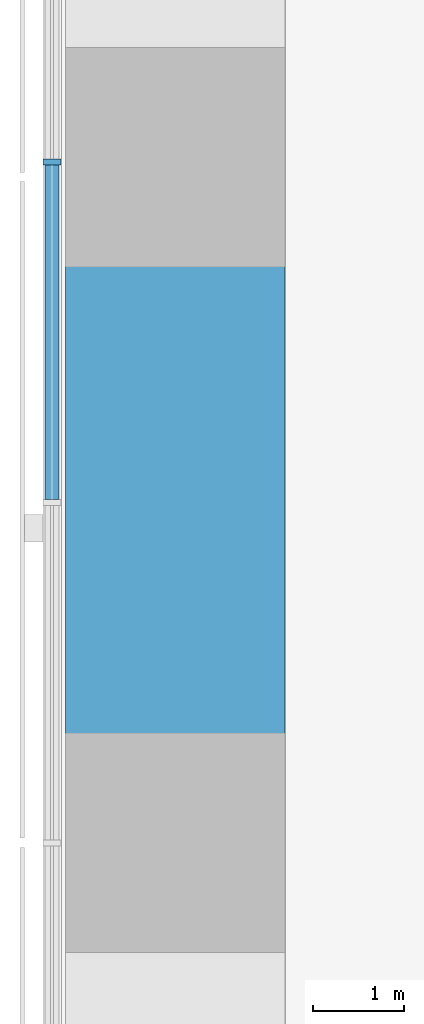
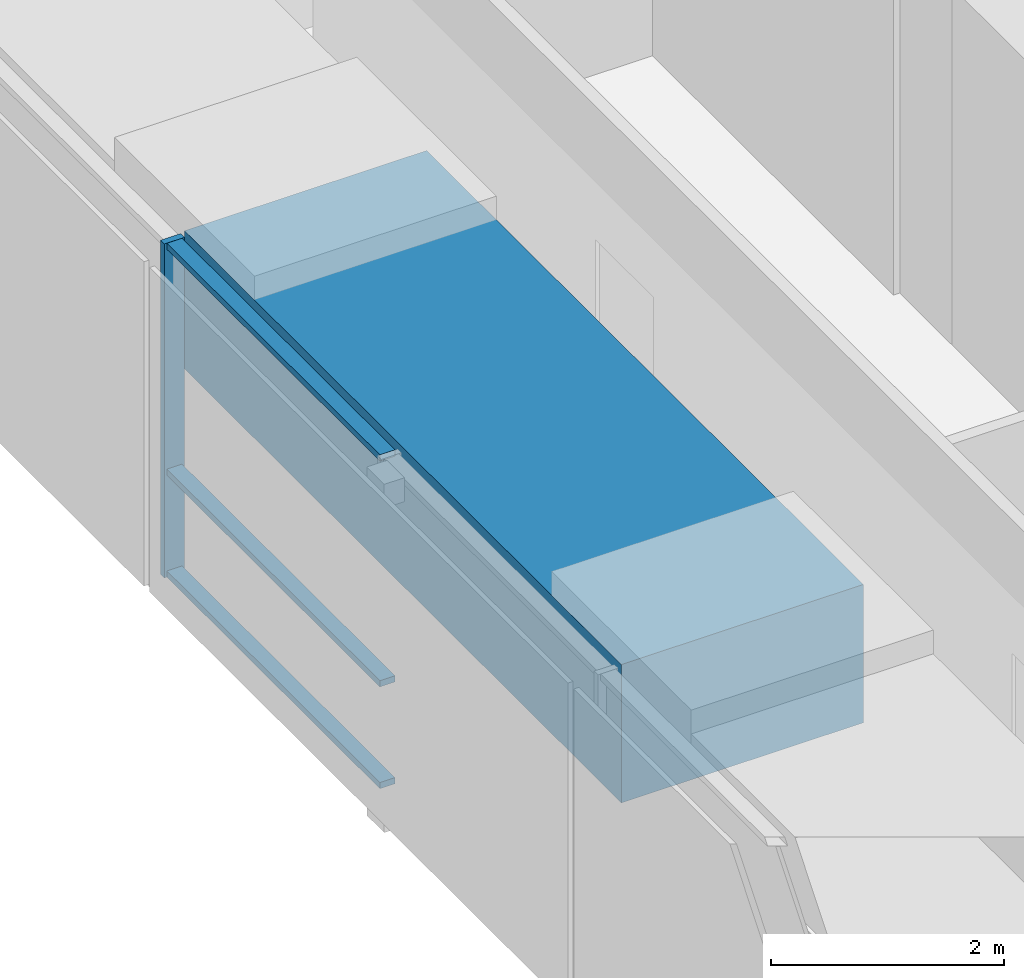
# One storey, part 3 of 17: 4 members, 1 beam, 1 element without a shape of its own.
"""IFC4 building model written with IfcOpenShell, lengths in metres."""

from ifc_helpers import new_model, si_unit, direction, frame, origin, origin_2d, place, context, subcontext, project, spatial, rectangle, extrude, material, material_profile, profile_set, type_object, element, aggregate, save


model = new_model("IFC4")

# Units and contexts
model_context = context("Model", 3, precision=1e-05, world=origin(), true_north=direction((0.0, 1.0)))
body_context = subcontext(model_context, "Body", "Model", "MODEL_VIEW")
ifc_project = project(units=[si_unit("LENGTHUNIT", "METRE"), si_unit("AREAUNIT", "SQUARE_METRE"), si_unit("VOLUMEUNIT", "CUBIC_METRE"), si_unit("PLANEANGLEUNIT", "RADIAN"), si_unit("MASSUNIT", "GRAM", prefix="KILO")], contexts=[model_context])

# Site, building, storey
site_placement = place(None, origin())
site = spatial("IfcSite", under=ifc_project, at=site_placement, CompositionType="ELEMENT")
building_placement = place(site_placement, origin())
building = spatial("IfcBuilding", under=site, at=building_placement, Name="Sheger Commons Tower", CompositionType="ELEMENT")
storey_placement = place(building_placement, frame((0.0, 0.0, 208.699951171875)))
storey = spatial("IfcBuildingStorey", under=building, at=storey_placement, Name="L53", CompositionType="ELEMENT", Elevation=208.699951171875)

# Curtain wall, member
ifc_material_1 = material(Name="Black aluminium curtain wall, dark tinted glazing", Category="aluminium")
curtain_wall_type = type_object("IfcCurtainWallType", Name="CURTAIN WALL CW4 GALLERY", PredefinedType="USERDEFINED", material=ifc_material_1)
curtain_wall_placement = place(storey_placement, origin())
curtain_wall = element("IfcCurtainWall", 1, at=curtain_wall_placement, inside=storey, type_object=curtain_wall_type, Name="Curtain Wall Cw4 Gallery W1 L53", ObjectType="UNITISED CURTAIN WALL", PredefinedType="USERDEFINED")
ifc_material_2 = material(Name="Black anodised aluminium", Category="aluminium")
ifc_material_profile_1 = material_profile(ifc_material_2, rectangle(XDim=0.199951171875, YDim=0.06494140625, at=origin_2d()), Name="AL 65x200")
ifc_profile_set_1 = profile_set([ifc_material_profile_1], Name="Black anodised aluminium")
member_type_1 = type_object("IfcMemberType", Name="MULLION AL 65x200", PredefinedType="MULLION", material=ifc_profile_set_1)
member_1_placement = place(storey_placement, frame((6.449951171875, 29.946044921875, 0.0), z_axis=(0.0, 0.0, 1.0), x_axis=(1.0, 0.0, 0.0)))
member_1 = element("IfcMember", 2, at=member_1_placement, type_object=member_type_1, Name="CW4 mullion 8", PredefinedType="MULLION", context=body_context, shape_type="SweptSolid", body=[
    extrude(rectangle(XDim=0.199951171875, YDim=0.06494140625, at=origin_2d()), origin(), (0.0, 0.0, 1.0), 3.5),
])

# Beam
ifc_material_3 = material(Name="Concrete C50/60", Category="concrete")
ifc_material_profile_2 = material_profile(ifc_material_3, rectangle(XDim=2.39990234375, YDim=1.449951171875, at=origin_2d()), Name="RC 2400x1450")
ifc_profile_set_2 = profile_set([ifc_material_profile_2], Name="Concrete C50/60")
beam_type = type_object("IfcBeamType", Name="SPANDREL RC 2400x1450", PredefinedType="SPANDREL", material=ifc_profile_set_2)
beam_placement = place(storey_placement, frame((7.800048828125, 30.0, 2.775146484375), z_axis=(0.0, -1.0, 0.0), x_axis=(1.0, 0.0, 0.0)))
element("IfcBeam", 3, at=beam_placement, inside=storey, type_object=beam_type, Name="Beam 2/E-2/D under L54", PredefinedType="SPANDREL", context=body_context, shape_type="SweptSolid", body=[
    extrude(rectangle(XDim=2.39990234375, YDim=1.449951171875, at=origin_2d()), origin(), (0.0, 0.0, 1.0), 7.5),
])

# Member
ifc_material_4 = material(Name="Black anodised aluminium", Category="aluminium")
ifc_material_profile_3 = material_profile(ifc_material_4, rectangle(XDim=0.14990234375, YDim=0.06494140625, at=origin_2d()), Name="AL 65x150")
ifc_profile_set_3 = profile_set([ifc_material_profile_3], Name="Black anodised aluminium")
member_type_2 = type_object("IfcMemberType", Name="TRANSOM AL 65x150", PredefinedType="USERDEFINED", material=ifc_profile_set_3)
member_2_placement = place(storey_placement, frame((6.449951171875, 29.91357421875, 0.032470703125), z_axis=(0.0, -1.0, 0.0), x_axis=(1.0, 0.0, 0.0)))
member_2 = element("IfcMember", 4, at=member_2_placement, type_object=member_type_2, Name="CW4 transom 8.1", ObjectType="TRANSOM", PredefinedType="USERDEFINED", context=body_context, shape_type="SweptSolid", body=[
    extrude(rectangle(XDim=0.14990234375, YDim=0.06494140625, at=origin_2d()), origin(), (0.0, 0.0, 1.0), 3.657958984375),
])

member_3_placement = place(storey_placement, frame((6.449951171875, 29.91357421875, 1.10009765625), z_axis=(0.0, -1.0, 0.0), x_axis=(1.0, 0.0, 0.0)))
member_3 = element("IfcMember", 5, at=member_3_placement, type_object=member_type_2, Name="CW4 transom 8.2", ObjectType="TRANSOM", PredefinedType="USERDEFINED", context=body_context, shape_type="SweptSolid", body=[
    extrude(rectangle(XDim=0.14990234375, YDim=0.06494140625, at=origin_2d()), origin(), (0.0, 0.0, 1.0), 3.657958984375),
])

member_4_placement = place(storey_placement, frame((6.449951171875, 29.91357421875, 3.467529296875), z_axis=(0.0, -1.0, 0.0), x_axis=(1.0, 0.0, 0.0)))
member_4 = element("IfcMember", 6, at=member_4_placement, type_object=member_type_2, Name="CW4 transom 8.3", ObjectType="TRANSOM", PredefinedType="USERDEFINED", context=body_context, shape_type="SweptSolid", body=[
    extrude(rectangle(XDim=0.14990234375, YDim=0.06494140625, at=origin_2d()), origin(), (0.0, 0.0, 1.0), 3.657958984375),
])

aggregate(curtain_wall, [member_1, member_2, member_3, member_4])

save(model, "model.ifc")
